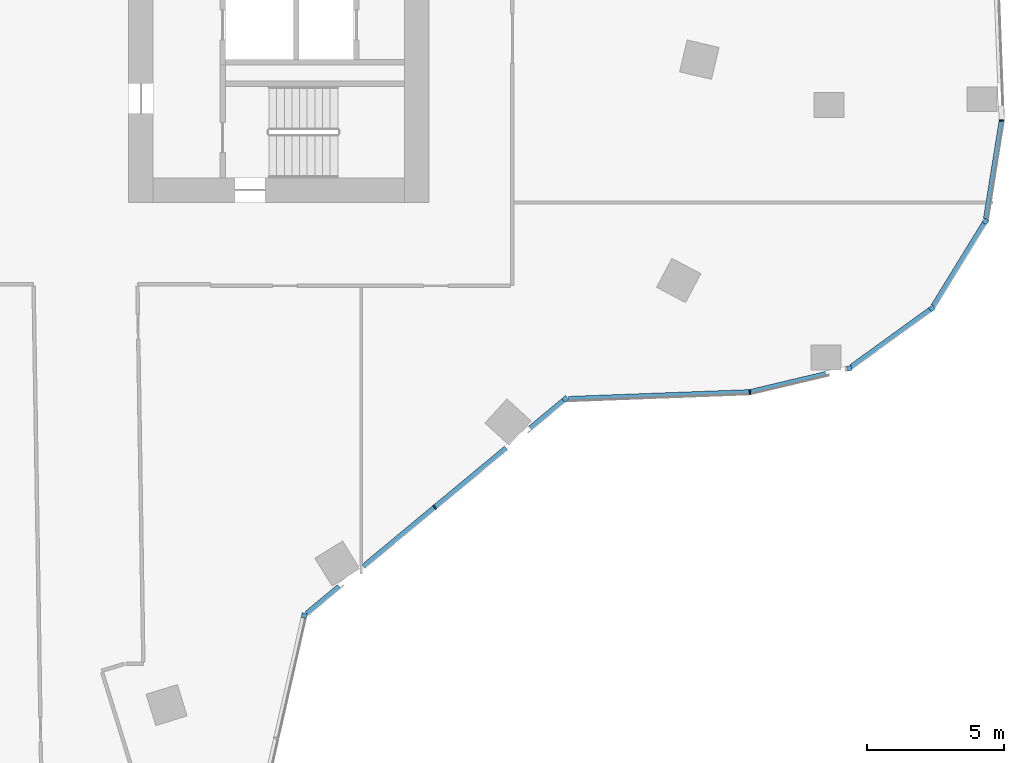
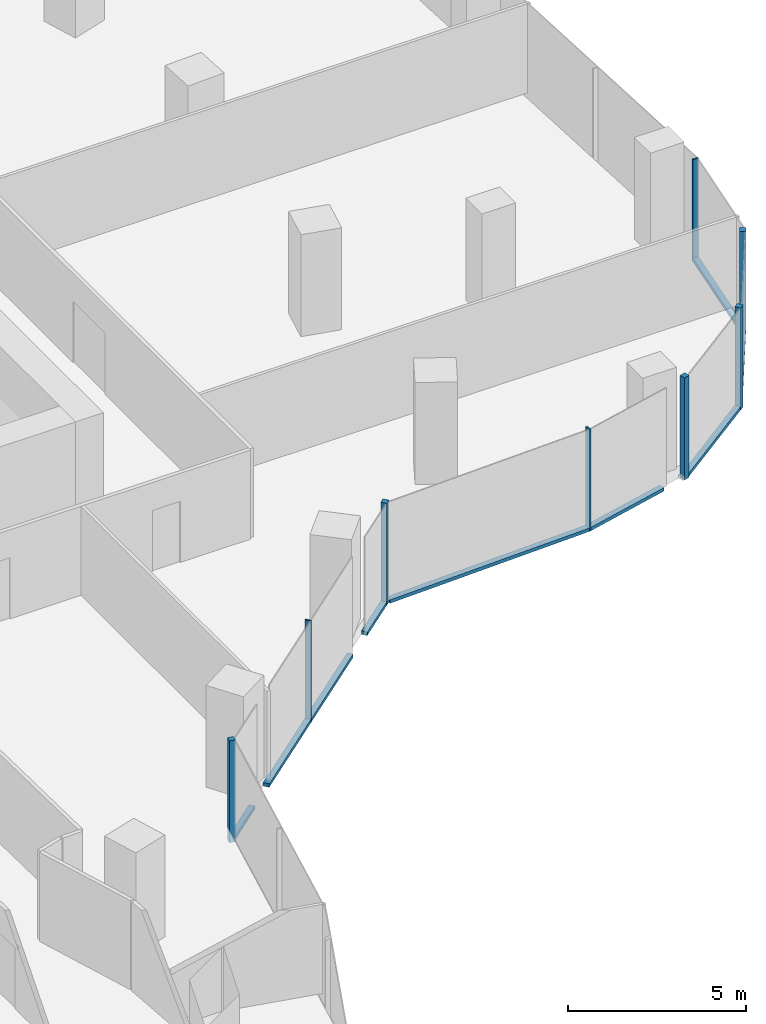
# One storey, part 8 of 24: 16 members, 7 elements without a shape of their own.
"""IFC4 building model written with IfcOpenShell, lengths in metres."""

from ifc_helpers import new_model, si_unit, direction, frame, origin, origin_2d, place, context, subcontext, project, spatial, rectangle, extrude, material, material_profile, profile_set, type_object, element, aggregate, save


model = new_model("IFC4")

# Units and contexts
model_context = context("Model", 3, precision=1e-05, world=origin(), true_north=direction((0.0, 1.0)))
body_context = subcontext(model_context, "Body", "Model", "MODEL_VIEW")
ifc_project = project(units=[si_unit("LENGTHUNIT", "METRE"), si_unit("AREAUNIT", "SQUARE_METRE"), si_unit("VOLUMEUNIT", "CUBIC_METRE"), si_unit("PLANEANGLEUNIT", "RADIAN"), si_unit("MASSUNIT", "GRAM", prefix="KILO")], contexts=[model_context])

# Site, building, storey
site_placement = place(None, origin())
site = spatial("IfcSite", under=ifc_project, at=site_placement, CompositionType="ELEMENT")
building_placement = place(site_placement, origin())
building = spatial("IfcBuilding", under=site, at=building_placement, Name="Orlundy Tower", CompositionType="ELEMENT")
storey_placement = place(building_placement, frame((0.0, 0.0, 170.60009765625)))
storey = spatial("IfcBuildingStorey", under=building, at=storey_placement, Name="L44", CompositionType="ELEMENT", Elevation=170.60009765625)

# Curtain wall, member
ifc_material_1 = material(Name="Aluminium bronze anodised", Category="aluminium")
curtain_wall_type = type_object("IfcCurtainWallType", Name="CW1 wall", PredefinedType="NOTDEFINED", material=ifc_material_1)
curtain_wall_1_placement = place(storey_placement, origin())
curtain_wall_1 = element("IfcCurtainWall", 1, at=curtain_wall_1_placement, inside=storey, type_object=curtain_wall_type, Name="CW1 run 013", PredefinedType="NOTDEFINED")
ifc_material_2 = material(Name="Aluminium bronze anodised", Category="aluminium")
ifc_material_profile_1 = material_profile(ifc_material_2, rectangle(XDim=0.179931640625, YDim=0.179931640625, at=origin_2d()), Name="CW1 corner post 180x180")
ifc_profile_set_1 = profile_set([ifc_material_profile_1], Name="Aluminium bronze anodised")
member_type_1 = type_object("IfcMemberType", Name="CW1 corner post 180x180", PredefinedType="MULLION", material=ifc_profile_set_1)
member_1_placement = place(storey_placement, frame((39.3701171875, -12.69091796875, -0.420166015625), z_axis=(0.0, 0.0, 1.0), x_axis=(0.851824977163, -0.523826505898, 0.0)))
member_1 = element("IfcMember", 2, at=member_1_placement, type_object=member_type_1, Name="CW1 mullion 37", PredefinedType="MULLION", context=body_context, shape_type="SweptSolid", body=[
    extrude(rectangle(XDim=0.179931640625, YDim=0.179931640625, at=origin_2d()), origin(), (0.0, 0.0, 1.0), 3.5),
])

curtain_wall_2_placement = place(storey_placement, origin())
curtain_wall_2 = element("IfcCurtainWall", 3, at=curtain_wall_2_placement, inside=storey, type_object=curtain_wall_type, Name="CW1 run 014", PredefinedType="NOTDEFINED")
member_2_placement = place(storey_placement, frame((37.4091796875, -15.87939453125, -0.420166015625), z_axis=(0.0, 0.0, 1.0), x_axis=(0.586534223909, -0.809924443503, 0.0)))
member_2 = element("IfcMember", 4, at=member_2_placement, type_object=member_type_1, Name="CW1 mullion 38", PredefinedType="MULLION", context=body_context, shape_type="SweptSolid", body=[
    extrude(rectangle(XDim=0.179931640625, YDim=0.179931640625, at=origin_2d()), origin(), (0.0, 0.0, 1.0), 3.5),
])

curtain_wall_3_placement = place(storey_placement, origin())
curtain_wall_3 = element("IfcCurtainWall", 5, at=curtain_wall_3_placement, inside=storey, type_object=curtain_wall_type, Name="CW1 run 015", PredefinedType="NOTDEFINED")
member_3_placement = place(storey_placement, frame((34.37841796875, -18.074462890625, -0.420166015625), z_axis=(0.0, 0.0, 1.0), x_axis=(0.232301349645, -0.972643862343, 0.0)))
member_3 = element("IfcMember", 6, at=member_3_placement, type_object=member_type_1, Name="CW1 mullion 39", PredefinedType="MULLION", context=body_context, shape_type="SweptSolid", body=[
    extrude(rectangle(XDim=0.179931640625, YDim=0.179931640625, at=origin_2d()), origin(), (0.0, 0.0, 1.0), 3.5),
])

curtain_wall_4_placement = place(storey_placement, origin())
curtain_wall_4 = element("IfcCurtainWall", 7, at=curtain_wall_4_placement, inside=storey, type_object=curtain_wall_type, Name="CW1 run 017", PredefinedType="NOTDEFINED")
member_4_placement = place(storey_placement, frame((23.989013671875, -19.19677734375, -0.420166015625), z_axis=(0.0, 0.0, 1.0), x_axis=(0.638331239674, -0.769761799816, 0.0)))
member_4 = element("IfcMember", 8, at=member_4_placement, type_object=member_type_1, Name="CW1 mullion 41", PredefinedType="MULLION", context=body_context, shape_type="SweptSolid", body=[
    extrude(rectangle(XDim=0.179931640625, YDim=0.179931640625, at=origin_2d()), origin(), (0.0, 0.0, 1.0), 3.5),
])

curtain_wall_5_placement = place(storey_placement, origin())
curtain_wall_5 = element("IfcCurtainWall", 9, at=curtain_wall_5_placement, inside=storey, type_object=curtain_wall_type, Name="CW1 run 018", PredefinedType="NOTDEFINED")
member_5_placement = place(storey_placement, frame((14.425048828125, -27.127685546875, -0.420166015625), z_axis=(0.0, 0.0, 1.0), x_axis=(0.975022425628, -0.222106437373, 0.0)))
member_5 = element("IfcMember", 10, at=member_5_placement, type_object=member_type_1, Name="CW1 mullion 43", PredefinedType="MULLION", context=body_context, shape_type="SweptSolid", body=[
    extrude(rectangle(XDim=0.179931640625, YDim=0.179931640625, at=origin_2d()), origin(), (0.0, 0.0, 1.0), 3.5),
])
aggregate(curtain_wall_5, [member_5])

curtain_wall_6_placement = place(storey_placement, origin())
curtain_wall_6 = element("IfcCurtainWall", 11, at=curtain_wall_6_placement, inside=storey, type_object=curtain_wall_type, Name="CW1 run 012", PredefinedType="NOTDEFINED")
ifc_material_3 = material(Name="Aluminium bronze anodised", Category="aluminium")
ifc_material_profile_2 = material_profile(ifc_material_3, rectangle(XDim=0.179931640625, YDim=0.050048828125, at=origin_2d()), Name="CW1 mullion 50x180")
ifc_profile_set_2 = profile_set([ifc_material_profile_2], Name="Aluminium bronze anodised")
member_type_2 = type_object("IfcMemberType", Name="CW1 mullion 50x180", PredefinedType="MULLION", material=ifc_profile_set_2)
member_6_placement = place(storey_placement, frame((39.959228515625, -9.00439453125, -0.420166015625), z_axis=(0.0, 0.0, 1.0), x_axis=(0.998180187769, -0.060301846949, 0.0)))
member_6 = element("IfcMember", 12, at=member_6_placement, type_object=member_type_2, Name="CW1 mullion 36", PredefinedType="MULLION", context=body_context, shape_type="SweptSolid", body=[
    extrude(rectangle(XDim=0.179931640625, YDim=0.050048828125, at=origin_2d()), origin(), (0.0, 0.0, 1.0), 3.5),
])

curtain_wall_7_placement = place(storey_placement, origin())
curtain_wall_7 = element("IfcCurtainWall", 13, at=curtain_wall_7_placement, inside=storey, type_object=curtain_wall_type, Name="CW1 run 016", PredefinedType="NOTDEFINED")
member_7_placement = place(storey_placement, frame((30.747314453125, -18.941650390625, -0.420166015625), z_axis=(0.0, 0.0, 1.0), x_axis=(0.135671936692, -0.990753816846, 0.0)))
member_7 = element("IfcMember", 14, at=member_7_placement, type_object=member_type_2, Name="CW1 mullion 40", PredefinedType="MULLION", context=body_context, shape_type="SweptSolid", body=[
    extrude(rectangle(XDim=0.179931640625, YDim=0.050048828125, at=origin_2d()), origin(), (0.0, 0.0, 1.0), 3.5),
])

# Member
member_8_placement = place(storey_placement, frame((19.20703125, -23.162353515625, -0.420166015625), z_axis=(0.0, 0.0, 1.0), x_axis=(0.638331239674, -0.769761799816, 0.0)))
member_8 = element("IfcMember", 15, at=member_8_placement, type_object=member_type_2, Name="CW1 mullion 42", PredefinedType="MULLION", context=body_context, shape_type="SweptSolid", body=[
    extrude(rectangle(XDim=0.179931640625, YDim=0.050048828125, at=origin_2d()), origin(), (0.0, 0.0, 1.0), 3.5),
])

ifc_material_4 = material(Name="Aluminium bronze anodised", Category="aluminium")
ifc_material_profile_3 = material_profile(ifc_material_4, rectangle(XDim=0.179931640625, YDim=0.1201171875, at=origin_2d()), Name="CW1 transom 180x120")
ifc_profile_set_3 = profile_set([ifc_material_profile_3], Name="Aluminium bronze anodised")
member_type_3 = type_object("IfcMemberType", Name="CW1 transom 180x120", PredefinedType="USERDEFINED", material=ifc_profile_set_3)
member_9_placement = place(storey_placement, frame((39.955322265625, -9.029296875, -0.360107421875), z_axis=(-0.157816447331, -0.987468464789, 0.0), x_axis=(0.987468464789, -0.157816447331, 0.0)))
member_9 = element("IfcMember", 16, at=member_9_placement, type_object=member_type_3, Name="CW1 transom", ObjectType="TRANSOM", PredefinedType="USERDEFINED", context=body_context, shape_type="SweptSolid", body=[
    extrude(rectangle(XDim=0.179931640625, YDim=0.1201171875, at=origin_2d()), origin(), (0.0, 0.0, 1.0), 3.610595703125),
])

aggregate(curtain_wall_6, [member_6, member_9])

member_10_placement = place(storey_placement, frame((39.322998046875, -12.767578125, -0.360107421875), z_axis=(-0.523875220778, -0.851795018214, 0.0), x_axis=(0.851795018214, -0.523875220778, 0.0)))
member_10 = element("IfcMember", 17, at=member_10_placement, type_object=member_type_3, Name="CW1 transom", ObjectType="TRANSOM", PredefinedType="USERDEFINED", context=body_context, shape_type="SweptSolid", body=[
    extrude(rectangle(XDim=0.179931640625, YDim=0.1201171875, at=origin_2d()), origin(), (0.0, 0.0, 1.0), 3.555908203125),
])

aggregate(curtain_wall_1, [member_1, member_10])

member_11_placement = place(storey_placement, frame((37.33642578125, -15.93212890625, -0.360107421875), z_axis=(-0.809901620851, -0.586565737614, 0.0), x_axis=(0.586565737614, -0.809901620851, 0.0)))
member_11 = element("IfcMember", 18, at=member_11_placement, type_object=member_type_3, Name="CW1 transom", ObjectType="TRANSOM", PredefinedType="USERDEFINED", context=body_context, shape_type="SweptSolid", body=[
    extrude(rectangle(XDim=0.179931640625, YDim=0.1201171875, at=origin_2d()), origin(), (0.0, 0.0, 1.0), 3.554931640625),
])

aggregate(curtain_wall_2, [member_2, member_11])

member_12_placement = place(storey_placement, frame((33.521484375, -18.279052734375, -0.360107421875), z_axis=(-0.972643824455, -0.232301508282, 0.0), x_axis=(0.232301508282, -0.972643824455, 0.0)))
member_12 = element("IfcMember", 19, at=member_12_placement, type_object=member_type_3, Name="CW1 transom", ObjectType="TRANSOM", PredefinedType="USERDEFINED", context=body_context, shape_type="SweptSolid", body=[
    extrude(rectangle(XDim=0.179931640625, YDim=0.1201171875, at=origin_2d()), origin(), (0.0, 0.0, 1.0), 2.8271484375),
])

aggregate(curtain_wall_3, [member_3, member_12])

member_13_placement = place(storey_placement, frame((30.72216796875, -18.942626953125, -0.360107421875), z_axis=(-0.999289050554, -0.037701371887, 0.0), x_axis=(0.037701371887, -0.999289050554, 0.0)))
member_13 = element("IfcMember", 20, at=member_13_placement, type_object=member_type_3, Name="CW1 transom", ObjectType="TRANSOM", PredefinedType="USERDEFINED", context=body_context, shape_type="SweptSolid", body=[
    extrude(rectangle(XDim=0.179931640625, YDim=0.1201171875, at=origin_2d()), origin(), (0.0, 0.0, 1.0), 6.62451171875),
])

aggregate(curtain_wall_7, [member_7, member_13])

member_14_placement = place(storey_placement, frame((23.919677734375, -19.254150390625, -0.360107421875), z_axis=(-0.769728291859, -0.638371644665, 0.0), x_axis=(0.638371644665, -0.769728291859, 0.0)))
member_14 = element("IfcMember", 21, at=member_14_placement, type_object=member_type_3, Name="CW1 transom", ObjectType="TRANSOM", PredefinedType="USERDEFINED", context=body_context, shape_type="SweptSolid", body=[
    extrude(rectangle(XDim=0.179931640625, YDim=0.1201171875, at=origin_2d()), origin(), (0.0, 0.0, 1.0), 1.577880859375),
])

member_15_placement = place(storey_placement, frame((21.822021484375, -20.99365234375, -0.360107421875), z_axis=(-0.769750639543, -0.638344697576, 0.0), x_axis=(0.638344697576, -0.769750639543, 0.0)))
member_15 = element("IfcMember", 22, at=member_15_placement, type_object=member_type_3, Name="CW1 transom", ObjectType="TRANSOM", PredefinedType="USERDEFINED", context=body_context, shape_type="SweptSolid", body=[
    extrude(rectangle(XDim=0.179931640625, YDim=0.1201171875, at=origin_2d()), origin(), (0.0, 0.0, 1.0), 6.79443359375),
])

member_16_placement = place(storey_placement, frame((15.708984375, -26.06298828125, -0.360107421875), z_axis=(-0.769763606156, -0.638329061408, 0.0), x_axis=(0.638329061408, -0.769763606156, 0.0)))
member_16 = element("IfcMember", 23, at=member_16_placement, type_object=member_type_3, Name="CW1 transom", ObjectType="TRANSOM", PredefinedType="USERDEFINED", context=body_context, shape_type="SweptSolid", body=[
    extrude(rectangle(XDim=0.179931640625, YDim=0.1201171875, at=origin_2d()), origin(), (0.0, 0.0, 1.0), 1.5546875),
])

aggregate(curtain_wall_4, [member_4, member_8, member_14, member_15, member_16])

save(model, "model.ifc")
